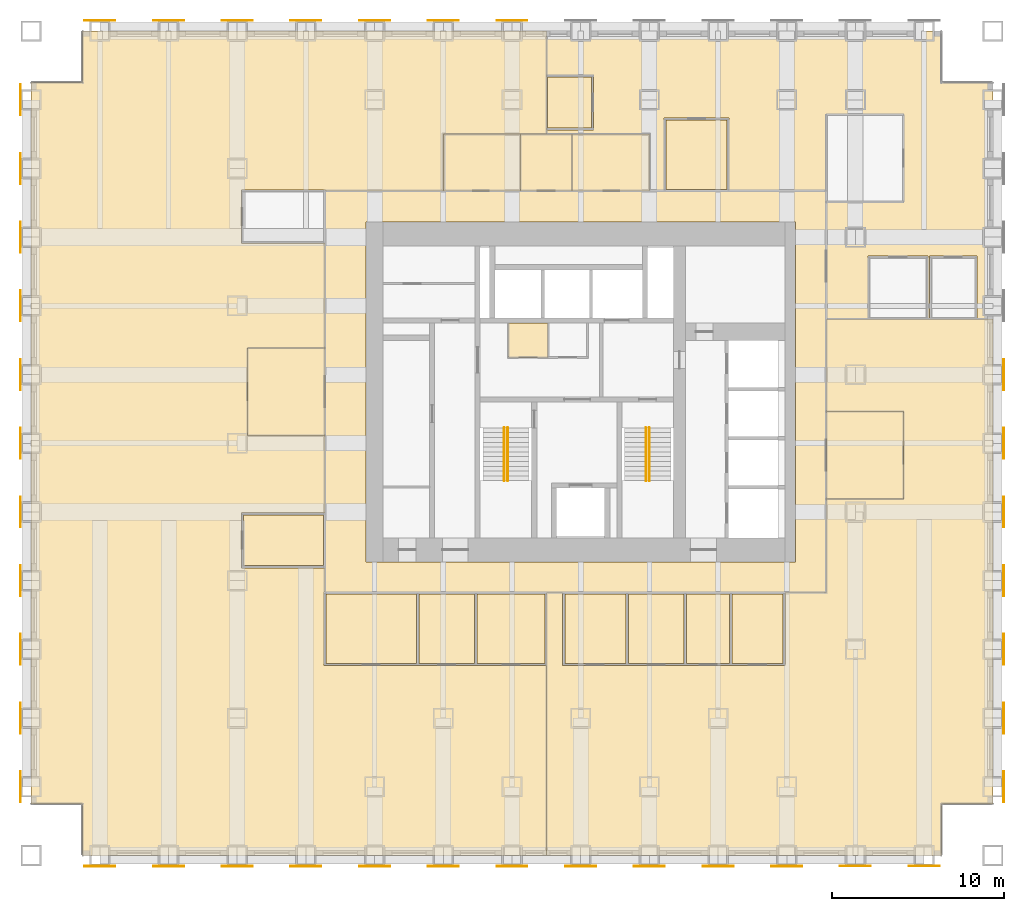
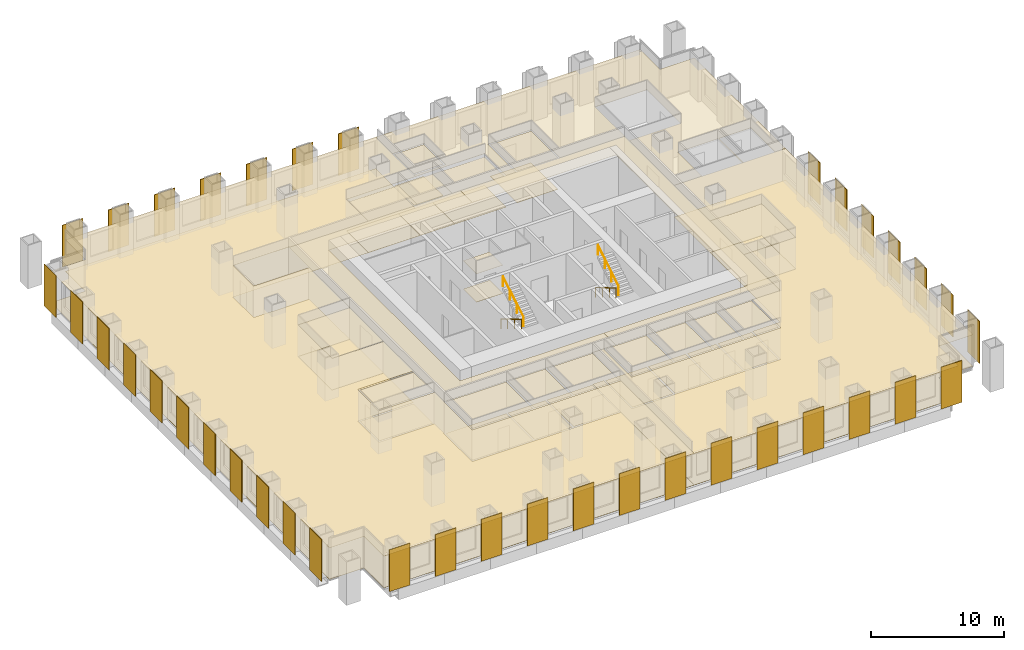
# One storey, part 13 of 14: 39 coverings, 38 shading devices, 4 railings.
"""IFC4 building model written with IfcOpenShell, lengths in metres."""

from ifc_helpers import new_model, si_unit, direction, frame, origin, origin_2d, place, context, subcontext, project, spatial, polyline, rectangle, circle, outline, extrude, material, layer, layer_set, type_object, element, save


model = new_model("IFC4")

# Units and contexts
model_context = context("Model", 3, precision=1e-05, world=origin(), true_north=direction((0.0, 1.0)))
body_context = subcontext(model_context, "Body", "Model", "MODEL_VIEW")
ifc_project = project(units=[si_unit("LENGTHUNIT", "METRE"), si_unit("AREAUNIT", "SQUARE_METRE"), si_unit("VOLUMEUNIT", "CUBIC_METRE"), si_unit("PLANEANGLEUNIT", "RADIAN"), si_unit("MASSUNIT", "GRAM", prefix="KILO")], contexts=[model_context])

# Site, building, storey
site_placement = place(None, origin())
site = spatial("IfcSite", under=ifc_project, at=site_placement, CompositionType="ELEMENT")
building_placement = place(site_placement, origin())
building = spatial("IfcBuilding", under=site, at=building_placement, Name="Rimbunsela Tower", CompositionType="ELEMENT")
storey_placement = place(building_placement, frame((0.0, 0.0, 55.0)))
storey = spatial("IfcBuildingStorey", under=building, at=storey_placement, Name="L13", CompositionType="ELEMENT", Elevation=55.0)

# Coverings
ifc_material_1 = material(Name="Nylon carpet tile", Category="textile")
ifc_layer_1 = layer(ifc_material_1, 0.010009765625)
ifc_layer_set_1 = layer_set([ifc_layer_1], Name="Carpet tile 10")
covering_type_1 = type_object("IfcCoveringType", Name="Carpet tile 10", PredefinedType="FLOORING", material=ifc_layer_set_1)
covering_1_placement = place(storey_placement, origin())
element("IfcCovering", 1, at=covering_1_placement, inside=storey, type_object=covering_type_1, Name="Floor finish Open office", PredefinedType="FLOORING", context=body_context, shape_type="SweptSolid", body=[
    extrude(outline(polyline([(20.550048828125, 11.050048828125), (23.85009765625, 11.050048828125), (23.949951171875, 11.050048828125), (27.9990234375, 11.050048828125), (27.9990234375, 0.0), (15.10009765625, 0.0), (1.0, 0.0), (1.0, 3.0), (-2.0, 3.0), (-2.0, 45.0), (1.0, 45.0), (1.0, 48.0), (15.10009765625, 48.0), (27.9990234375, 48.0), (27.9990234375, 42.0), (22.0, 42.0), (22.0, 38.699951171875), (15.14990234375, 38.699951171875), (15.14990234375, 38.75), (15.10009765625, 38.75), (10.25, 38.75), (10.25, 35.64990234375), (15.10009765625, 35.64990234375), (15.10009765625, 29.550048828125), (10.60009765625, 29.550048828125), (10.60009765625, 24.449951171875), (15.10009765625, 24.449951171875), (15.10009765625, 19.949951171875), (10.25, 19.949951171875), (10.25, 16.75), (15.10009765625, 16.75), (15.10009765625, 15.35009765625), (15.050048828125, 15.35009765625), (15.050048828125, 11.050048828125), (15.10009765625, 11.050048828125), (20.449951171875, 11.050048828125), (20.550048828125, 11.050048828125)])), origin(), (0.0, 0.0, 1.0), 0.010009765625),
])
covering_2_placement = place(storey_placement, origin())
element("IfcCovering", 2, at=covering_2_placement, inside=storey, type_object=covering_type_1, Name="Floor finish Open office", PredefinedType="FLOORING", context=body_context, shape_type="SweptSolid", body=[
    extrude(outline(polyline([(28.0009765625, 15.300048828125), (28.948974609375, 15.300048828125), (28.948974609375, 11.050048828125), (32.64892578125, 11.050048828125), (32.7490234375, 11.050048828125), (36.049072265625, 11.050048828125), (36.14892578125, 11.050048828125), (38.698974609375, 11.050048828125), (38.799072265625, 11.050048828125), (41.89892578125, 11.050048828125), (41.89892578125, 15.300048828125), (44.300048828125, 15.300048828125), (44.300048828125, 20.75), (48.800048828125, 20.75), (48.800048828125, 25.85009765625), (44.300048828125, 25.85009765625), (44.300048828125, 31.2490234375), (54.0, 31.2490234375), (54.0, 3.0), (51.0, 3.0), (51.0, 0.0), (44.300048828125, 0.0), (28.0009765625, 0.0), (28.0009765625, 15.300048828125)])), origin(), (0.0, 0.0, 1.0), 0.010009765625),
])
covering_3_placement = place(storey_placement, origin())
element("IfcCovering", 3, at=covering_3_placement, inside=storey, type_object=covering_type_1, Name="Floor finish Reception", PredefinedType="FLOORING", context=body_context, shape_type="SweptSolid", body=[
    extrude(outline(polyline([(15.10009765625, 24.449951171875), (15.10009765625, 29.550048828125), (10.60009765625, 29.550048828125), (10.60009765625, 24.449951171875), (15.10009765625, 24.449951171875)])), origin(), (0.0, 0.0, 1.0), 0.010009765625),
])
covering_4_placement = place(storey_placement, origin())
element("IfcCovering", 4, at=covering_4_placement, inside=storey, type_object=covering_type_1, Name="Floor finish Reception", PredefinedType="FLOORING", context=body_context, shape_type="SweptSolid", body=[
    extrude(outline(polyline([(48.800048828125, 20.75), (48.800048828125, 25.85009765625), (44.300048828125, 25.85009765625), (44.300048828125, 20.75), (48.800048828125, 20.75)])), origin(), (0.0, 0.0, 1.0), 0.010009765625),
])
covering_5_placement = place(storey_placement, origin())
element("IfcCovering", 5, at=covering_5_placement, inside=storey, type_object=covering_type_1, Name="Floor finish Meeting room", PredefinedType="FLOORING", context=body_context, shape_type="SweptSolid", body=[
    extrude(outline(polyline([(20.425048828125, 11.175048828125), (20.425048828125, 15.22509765625), (15.175048828125, 15.22509765625), (15.175048828125, 11.175048828125), (20.425048828125, 11.175048828125)])), origin(), (0.0, 0.0, 1.0), 0.010009765625),
])
covering_6_placement = place(storey_placement, origin())
element("IfcCovering", 6, at=covering_6_placement, inside=storey, type_object=covering_type_1, Name="Floor finish Pantry", PredefinedType="FLOORING", context=body_context, shape_type="SweptSolid", body=[
    extrude(outline(polyline([(23.824951171875, 11.175048828125), (23.824951171875, 15.22509765625), (20.574951171875, 15.22509765625), (20.574951171875, 11.175048828125), (23.824951171875, 11.175048828125)])), origin(), (0.0, 0.0, 1.0), 0.010009765625),
])
covering_7_placement = place(storey_placement, origin())
element("IfcCovering", 7, at=covering_7_placement, inside=storey, type_object=covering_type_1, Name="Floor finish Print and copy room", PredefinedType="FLOORING", context=body_context, shape_type="SweptSolid", body=[
    extrude(outline(polyline([(27.924072265625, 11.175048828125), (27.924072265625, 15.22509765625), (23.97509765625, 15.22509765625), (23.97509765625, 11.175048828125), (27.924072265625, 11.175048828125)])), origin(), (0.0, 0.0, 1.0), 0.010009765625),
])
covering_8_placement = place(storey_placement, origin())
element("IfcCovering", 8, at=covering_8_placement, inside=storey, type_object=covering_type_1, Name="Floor finish Meeting room", PredefinedType="FLOORING", context=body_context, shape_type="SweptSolid", body=[
    extrude(outline(polyline([(32.6240234375, 11.175048828125), (32.6240234375, 15.22509765625), (29.073974609375, 15.22509765625), (29.073974609375, 11.175048828125), (32.6240234375, 11.175048828125)])), origin(), (0.0, 0.0, 1.0), 0.010009765625),
])
covering_9_placement = place(storey_placement, origin())
element("IfcCovering", 9, at=covering_9_placement, inside=storey, type_object=covering_type_1, Name="Floor finish Pantry", PredefinedType="FLOORING", context=body_context, shape_type="SweptSolid", body=[
    extrude(outline(polyline([(36.02392578125, 11.175048828125), (36.02392578125, 15.22509765625), (32.77392578125, 15.22509765625), (32.77392578125, 11.175048828125), (36.02392578125, 11.175048828125)])), origin(), (0.0, 0.0, 1.0), 0.010009765625),
])
covering_10_placement = place(storey_placement, origin())
element("IfcCovering", 10, at=covering_10_placement, inside=storey, type_object=covering_type_1, Name="Floor finish Print and copy room", PredefinedType="FLOORING", context=body_context, shape_type="SweptSolid", body=[
    extrude(outline(polyline([(38.674072265625, 11.175048828125), (38.674072265625, 15.22509765625), (36.174072265625, 15.22509765625), (36.174072265625, 11.175048828125), (38.674072265625, 11.175048828125)])), origin(), (0.0, 0.0, 1.0), 0.010009765625),
])
covering_11_placement = place(storey_placement, origin())
element("IfcCovering", 11, at=covering_11_placement, inside=storey, type_object=covering_type_1, Name="Floor finish Office", PredefinedType="FLOORING", context=body_context, shape_type="SweptSolid", body=[
    extrude(outline(polyline([(41.77392578125, 11.175048828125), (41.77392578125, 15.22509765625), (38.823974609375, 15.22509765625), (38.823974609375, 11.175048828125), (41.77392578125, 11.175048828125)])), origin(), (0.0, 0.0, 1.0), 0.010009765625),
])
covering_12_placement = place(storey_placement, origin())
element("IfcCovering", 12, at=covering_12_placement, inside=storey, type_object=covering_type_1, Name="Floor finish Office", PredefinedType="FLOORING", context=body_context, shape_type="SweptSolid", body=[
    extrude(outline(polyline([(15.02490234375, 16.875), (15.02490234375, 19.824951171875), (10.375, 19.824951171875), (10.375, 16.875), (15.02490234375, 16.875)])), origin(), (0.0, 0.0, 1.0), 0.010009765625),
])
covering_13_placement = place(storey_placement, origin())
element("IfcCovering", 13, at=covering_13_placement, inside=storey, type_object=covering_type_1, Name="Floor finish Meeting room", PredefinedType="FLOORING", context=body_context, shape_type="SweptSolid", body=[
    extrude(outline(polyline([(38.52490234375, 38.77490234375), (38.52490234375, 42.824951171875), (34.97509765625, 42.824951171875), (34.97509765625, 38.77490234375), (38.52490234375, 38.77490234375)])), origin(), (0.0, 0.0, 1.0), 0.010009765625),
])
covering_14_placement = place(storey_placement, origin())
element("IfcCovering", 14, at=covering_14_placement, inside=storey, type_object=covering_type_1, Name="Floor finish Office", PredefinedType="FLOORING", context=body_context, shape_type="SweptSolid", body=[
    extrude(outline(polyline([(30.625, 42.375), (30.625, 45.324951171875), (28.074951171875, 45.324951171875), (28.074951171875, 42.375), (30.625, 42.375)])), origin(), (0.0, 0.0, 1.0), 0.010009765625),
])
ifc_material_2 = material(Name="Mineral fibre ceiling tile", Category="gypsum")
ifc_layer_2 = layer(ifc_material_2, 0.02001953125)
ifc_layer_set_2 = layer_set([ifc_layer_2], Name="Ceiling 600 grid")
covering_type_2 = type_object("IfcCoveringType", Name="Ceiling 600 grid", PredefinedType="CEILING", material=ifc_layer_set_2)
covering_15_placement = place(storey_placement, frame((0.0, 0.0, 2.89990234375)))
element("IfcCovering", 15, at=covering_15_placement, inside=storey, type_object=covering_type_2, Name="Ceiling Ring corridor", PredefinedType="CEILING", context=body_context, shape_type="SweptSolid", body=[
    extrude(outline(polyline([(15.10009765625, 38.699951171875), (30.0, 38.699951171875), (30.0, 36.89990234375), (17.5, 36.89990234375), (17.5, 17.10009765625), (30.0, 17.10009765625), (30.0, 15.300048828125), (15.10009765625, 15.300048828125), (15.10009765625, 38.699951171875)])), origin(), (0.0, 0.0, 1.0), 0.02001953125),
])
covering_16_placement = place(storey_placement, frame((0.0, 0.0, 2.89990234375)))
element("IfcCovering", 16, at=covering_16_placement, inside=storey, type_object=covering_type_2, Name="Ceiling Ring corridor", PredefinedType="CEILING", context=body_context, shape_type="SweptSolid", body=[
    extrude(outline(polyline([(44.300048828125, 38.699951171875), (44.300048828125, 15.300048828125), (30.0, 15.300048828125), (30.0, 17.10009765625), (42.5, 17.10009765625), (42.5, 36.89990234375), (30.0, 36.89990234375), (30.0, 38.699951171875), (44.300048828125, 38.699951171875)])), origin(), (0.0, 0.0, 1.0), 0.02001953125),
])
covering_17_placement = place(storey_placement, frame((0.0, 0.0, 2.89990234375)))
element("IfcCovering", 17, at=covering_17_placement, inside=storey, type_object=covering_type_2, Name="Ceiling Open office", PredefinedType="CEILING", context=body_context, shape_type="SweptSolid", body=[
    extrude(outline(polyline([(20.550048828125, 11.050048828125), (23.85009765625, 11.050048828125), (23.949951171875, 11.050048828125), (27.9990234375, 11.050048828125), (27.9990234375, 0.0), (15.10009765625, 0.0), (1.0, 0.0), (1.0, 3.0), (-2.0, 3.0), (-2.0, 45.0), (1.0, 45.0), (1.0, 48.0), (15.10009765625, 48.0), (27.9990234375, 48.0), (27.9990234375, 42.0), (22.0, 42.0), (22.0, 38.699951171875), (15.14990234375, 38.699951171875), (15.14990234375, 38.75), (15.10009765625, 38.75), (10.25, 38.75), (10.25, 35.64990234375), (15.10009765625, 35.64990234375), (15.10009765625, 29.550048828125), (10.60009765625, 29.550048828125), (10.60009765625, 24.449951171875), (15.10009765625, 24.449951171875), (15.10009765625, 19.949951171875), (10.25, 19.949951171875), (10.25, 16.75), (15.10009765625, 16.75), (15.10009765625, 15.35009765625), (15.050048828125, 15.35009765625), (15.050048828125, 11.050048828125), (15.10009765625, 11.050048828125), (20.449951171875, 11.050048828125), (20.550048828125, 11.050048828125)])), origin(), (0.0, 0.0, 1.0), 0.02001953125),
])
covering_18_placement = place(storey_placement, frame((0.0, 0.0, 2.89990234375)))
element("IfcCovering", 18, at=covering_18_placement, inside=storey, type_object=covering_type_2, Name="Ceiling Open office", PredefinedType="CEILING", context=body_context, shape_type="SweptSolid", body=[
    extrude(outline(polyline([(28.0009765625, 15.300048828125), (28.948974609375, 15.300048828125), (28.948974609375, 11.050048828125), (32.64892578125, 11.050048828125), (32.7490234375, 11.050048828125), (36.049072265625, 11.050048828125), (36.14892578125, 11.050048828125), (38.698974609375, 11.050048828125), (38.799072265625, 11.050048828125), (41.89892578125, 11.050048828125), (41.89892578125, 15.300048828125), (44.300048828125, 15.300048828125), (44.300048828125, 20.75), (48.800048828125, 20.75), (48.800048828125, 25.85009765625), (44.300048828125, 25.85009765625), (44.300048828125, 31.2490234375), (54.0, 31.2490234375), (54.0, 3.0), (51.0, 3.0), (51.0, 0.0), (44.300048828125, 0.0), (28.0009765625, 0.0), (28.0009765625, 15.300048828125)])), origin(), (0.0, 0.0, 1.0), 0.02001953125),
])
covering_19_placement = place(storey_placement, frame((0.0, 0.0, 2.89990234375)))
element("IfcCovering", 19, at=covering_19_placement, inside=storey, type_object=covering_type_2, Name="Ceiling Open office", PredefinedType="CEILING", context=body_context, shape_type="SweptSolid", body=[
    extrude(outline(polyline([(44.300048828125, 38.699951171875), (38.64990234375, 38.699951171875), (38.64990234375, 42.949951171875), (34.85009765625, 42.949951171875), (34.85009765625, 38.699951171875), (34.0, 38.699951171875), (34.0, 42.0), (28.0009765625, 42.0), (28.0009765625, 42.25), (30.75, 42.25), (30.75, 45.449951171875), (28.0009765625, 45.449951171875), (28.0009765625, 48.0), (44.300048828125, 48.0), (51.0, 48.0), (51.0, 45.0), (54.0, 45.0), (54.0, 31.2509765625), (53.074951171875, 31.2509765625), (53.074951171875, 34.89990234375), (50.324951171875, 34.89990234375), (50.324951171875, 31.2509765625), (50.22509765625, 31.2509765625), (50.22509765625, 34.89990234375), (46.72509765625, 34.89990234375), (46.72509765625, 31.2509765625), (44.300048828125, 31.2509765625), (44.300048828125, 38.050048828125), (48.800048828125, 38.050048828125), (48.800048828125, 43.14990234375), (44.300048828125, 43.14990234375), (44.300048828125, 38.699951171875)])), origin(), (0.0, 0.0, 1.0), 0.02001953125),
])
covering_20_placement = place(storey_placement, frame((0.0, 0.0, 2.89990234375)))
element("IfcCovering", 20, at=covering_20_placement, inside=storey, type_object=covering_type_2, Name="Ceiling Reception", PredefinedType="CEILING", context=body_context, shape_type="SweptSolid", body=[
    extrude(outline(polyline([(15.10009765625, 24.449951171875), (15.10009765625, 29.550048828125), (10.60009765625, 29.550048828125), (10.60009765625, 24.449951171875), (15.10009765625, 24.449951171875)])), origin(), (0.0, 0.0, 1.0), 0.02001953125),
])
covering_21_placement = place(storey_placement, frame((0.0, 0.0, 2.89990234375)))
element("IfcCovering", 21, at=covering_21_placement, inside=storey, type_object=covering_type_2, Name="Ceiling Reception", PredefinedType="CEILING", context=body_context, shape_type="SweptSolid", body=[
    extrude(outline(polyline([(48.800048828125, 20.75), (48.800048828125, 25.85009765625), (44.300048828125, 25.85009765625), (44.300048828125, 20.75), (48.800048828125, 20.75)])), origin(), (0.0, 0.0, 1.0), 0.02001953125),
])
covering_22_placement = place(storey_placement, frame((0.0, 0.0, 2.89990234375)))
element("IfcCovering", 22, at=covering_22_placement, inside=storey, type_object=covering_type_2, Name="Ceiling Meeting room", PredefinedType="CEILING", context=body_context, shape_type="SweptSolid", body=[
    extrude(outline(polyline([(20.425048828125, 11.175048828125), (20.425048828125, 15.22509765625), (15.175048828125, 15.22509765625), (15.175048828125, 11.175048828125), (20.425048828125, 11.175048828125)])), origin(), (0.0, 0.0, 1.0), 0.02001953125),
])
covering_23_placement = place(storey_placement, frame((0.0, 0.0, 2.89990234375)))
element("IfcCovering", 23, at=covering_23_placement, inside=storey, type_object=covering_type_2, Name="Ceiling Pantry", PredefinedType="CEILING", context=body_context, shape_type="SweptSolid", body=[
    extrude(outline(polyline([(23.824951171875, 11.175048828125), (23.824951171875, 15.22509765625), (20.574951171875, 15.22509765625), (20.574951171875, 11.175048828125), (23.824951171875, 11.175048828125)])), origin(), (0.0, 0.0, 1.0), 0.02001953125),
])
covering_24_placement = place(storey_placement, frame((0.0, 0.0, 2.89990234375)))
element("IfcCovering", 24, at=covering_24_placement, inside=storey, type_object=covering_type_2, Name="Ceiling Print and copy room", PredefinedType="CEILING", context=body_context, shape_type="SweptSolid", body=[
    extrude(outline(polyline([(27.924072265625, 11.175048828125), (27.924072265625, 15.22509765625), (23.97509765625, 15.22509765625), (23.97509765625, 11.175048828125), (27.924072265625, 11.175048828125)])), origin(), (0.0, 0.0, 1.0), 0.02001953125),
])
covering_25_placement = place(storey_placement, frame((0.0, 0.0, 2.89990234375)))
element("IfcCovering", 25, at=covering_25_placement, inside=storey, type_object=covering_type_2, Name="Ceiling Meeting room", PredefinedType="CEILING", context=body_context, shape_type="SweptSolid", body=[
    extrude(outline(polyline([(32.6240234375, 11.175048828125), (32.6240234375, 15.22509765625), (29.073974609375, 15.22509765625), (29.073974609375, 11.175048828125), (32.6240234375, 11.175048828125)])), origin(), (0.0, 0.0, 1.0), 0.02001953125),
])
covering_26_placement = place(storey_placement, frame((0.0, 0.0, 2.89990234375)))
element("IfcCovering", 26, at=covering_26_placement, inside=storey, type_object=covering_type_2, Name="Ceiling Pantry", PredefinedType="CEILING", context=body_context, shape_type="SweptSolid", body=[
    extrude(outline(polyline([(36.02392578125, 11.175048828125), (36.02392578125, 15.22509765625), (32.77392578125, 15.22509765625), (32.77392578125, 11.175048828125), (36.02392578125, 11.175048828125)])), origin(), (0.0, 0.0, 1.0), 0.02001953125),
])
covering_27_placement = place(storey_placement, frame((0.0, 0.0, 2.89990234375)))
element("IfcCovering", 27, at=covering_27_placement, inside=storey, type_object=covering_type_2, Name="Ceiling Print and copy room", PredefinedType="CEILING", context=body_context, shape_type="SweptSolid", body=[
    extrude(outline(polyline([(38.674072265625, 11.175048828125), (38.674072265625, 15.22509765625), (36.174072265625, 15.22509765625), (36.174072265625, 11.175048828125), (38.674072265625, 11.175048828125)])), origin(), (0.0, 0.0, 1.0), 0.02001953125),
])
covering_28_placement = place(storey_placement, frame((0.0, 0.0, 2.89990234375)))
element("IfcCovering", 28, at=covering_28_placement, inside=storey, type_object=covering_type_2, Name="Ceiling Office", PredefinedType="CEILING", context=body_context, shape_type="SweptSolid", body=[
    extrude(outline(polyline([(41.77392578125, 11.175048828125), (41.77392578125, 15.22509765625), (38.823974609375, 15.22509765625), (38.823974609375, 11.175048828125), (41.77392578125, 11.175048828125)])), origin(), (0.0, 0.0, 1.0), 0.02001953125),
])
covering_29_placement = place(storey_placement, frame((0.0, 0.0, 2.89990234375)))
element("IfcCovering", 29, at=covering_29_placement, inside=storey, type_object=covering_type_2, Name="Ceiling Office", PredefinedType="CEILING", context=body_context, shape_type="SweptSolid", body=[
    extrude(outline(polyline([(15.02490234375, 16.875), (15.02490234375, 19.824951171875), (10.375, 19.824951171875), (10.375, 16.875), (15.02490234375, 16.875)])), origin(), (0.0, 0.0, 1.0), 0.02001953125),
])
covering_30_placement = place(storey_placement, frame((0.0, 0.0, 2.89990234375)))
element("IfcCovering", 30, at=covering_30_placement, inside=storey, type_object=covering_type_2, Name="Ceiling Meeting room", PredefinedType="CEILING", context=body_context, shape_type="SweptSolid", body=[
    extrude(outline(polyline([(38.52490234375, 38.77490234375), (38.52490234375, 42.824951171875), (34.97509765625, 42.824951171875), (34.97509765625, 38.77490234375), (38.52490234375, 38.77490234375)])), origin(), (0.0, 0.0, 1.0), 0.02001953125),
])
covering_31_placement = place(storey_placement, frame((0.0, 0.0, 2.89990234375)))
element("IfcCovering", 31, at=covering_31_placement, inside=storey, type_object=covering_type_2, Name="Ceiling Office", PredefinedType="CEILING", context=body_context, shape_type="SweptSolid", body=[
    extrude(outline(polyline([(30.625, 42.375), (30.625, 45.324951171875), (28.074951171875, 45.324951171875), (28.074951171875, 42.375), (30.625, 42.375)])), origin(), (0.0, 0.0, 1.0), 0.02001953125),
])
ifc_material_3 = material(Name="Moisture-resistant plasterboard ceiling", Category="gypsum")
ifc_layer_3 = layer(ifc_material_3, 0.012451171875)
ifc_layer_set_3 = layer_set([ifc_layer_3], Name="Ceiling moisture-resistant board")
covering_type_3 = type_object("IfcCoveringType", Name="Ceiling moisture-resistant board", PredefinedType="CEILING", material=ifc_layer_set_3)
covering_32_placement = place(storey_placement, frame((0.0, 0.0, 2.60009765625)))
element("IfcCovering", 32, at=covering_32_placement, inside=storey, type_object=covering_type_3, Name="Ceiling Staff WC", PredefinedType="CEILING", context=body_context, shape_type="SweptSolid", body=[
    extrude(outline(polyline([(28.10009765625, 29.0), (28.10009765625, 31.0), (25.800048828125, 31.0), (25.800048828125, 29.0), (28.10009765625, 29.0)])), origin(), (0.0, 0.0, 1.0), 0.02001953125),
])
covering_33_placement = place(storey_placement, frame((0.0, 0.0, 2.60009765625)))
element("IfcCovering", 33, at=covering_33_placement, inside=storey, type_object=covering_type_3, Name="Ceiling Female WC", PredefinedType="CEILING", context=body_context, shape_type="SweptSolid", body=[
    extrude(outline(polyline([(26.5, 38.699951171875), (26.5, 42.0), (22.0, 42.0), (22.0, 38.699951171875), (26.5, 38.699951171875)])), origin(), (0.0, 0.0, 1.0), 0.02001953125),
])
covering_34_placement = place(storey_placement, frame((0.0, 0.0, 2.60009765625)))
element("IfcCovering", 34, at=covering_34_placement, inside=storey, type_object=covering_type_3, Name="Ceiling Accessible WC", PredefinedType="CEILING", context=body_context, shape_type="SweptSolid", body=[
    extrude(outline(polyline([(29.5, 38.699951171875), (29.5, 42.0), (26.5, 42.0), (26.5, 38.699951171875), (29.5, 38.699951171875)])), origin(), (0.0, 0.0, 1.0), 0.02001953125),
])
covering_35_placement = place(storey_placement, frame((0.0, 0.0, 2.60009765625)))
element("IfcCovering", 35, at=covering_35_placement, inside=storey, type_object=covering_type_3, Name="Ceiling Male WC", PredefinedType="CEILING", context=body_context, shape_type="SweptSolid", body=[
    extrude(outline(polyline([(34.0, 38.699951171875), (34.0, 42.0), (29.5, 42.0), (29.5, 38.699951171875), (34.0, 38.699951171875)])), origin(), (0.0, 0.0, 1.0), 0.02001953125),
])
ifc_material_4 = material(Name="Porcelain floor tile in adhesive bed", Category="ceramic")
ifc_layer_4 = layer(ifc_material_4, 0.02001953125)
ifc_layer_set_4 = layer_set([ifc_layer_4], Name="Porcelain tile 20")
covering_type_4 = type_object("IfcCoveringType", Name="Porcelain tile 20", PredefinedType="FLOORING", material=ifc_layer_set_4)
covering_36_placement = place(storey_placement, origin())
element("IfcCovering", 36, at=covering_36_placement, inside=storey, type_object=covering_type_4, Name="Floor finish Staff WC", PredefinedType="FLOORING", context=body_context, shape_type="SweptSolid", body=[
    extrude(outline(polyline([(28.10009765625, 29.0), (28.10009765625, 31.0), (25.800048828125, 31.0), (25.800048828125, 29.0), (28.10009765625, 29.0)])), origin(), (0.0, 0.0, 1.0), 0.02001953125),
])
covering_37_placement = place(storey_placement, origin())
element("IfcCovering", 37, at=covering_37_placement, inside=storey, type_object=covering_type_4, Name="Floor finish Female WC", PredefinedType="FLOORING", context=body_context, shape_type="SweptSolid", body=[
    extrude(outline(polyline([(26.5, 38.699951171875), (26.5, 42.0), (22.0, 42.0), (22.0, 38.699951171875), (26.5, 38.699951171875)])), origin(), (0.0, 0.0, 1.0), 0.02001953125),
])
covering_38_placement = place(storey_placement, origin())
element("IfcCovering", 38, at=covering_38_placement, inside=storey, type_object=covering_type_4, Name="Floor finish Accessible WC", PredefinedType="FLOORING", context=body_context, shape_type="SweptSolid", body=[
    extrude(outline(polyline([(29.5, 38.699951171875), (29.5, 42.0), (26.5, 42.0), (26.5, 38.699951171875), (29.5, 38.699951171875)])), origin(), (0.0, 0.0, 1.0), 0.02001953125),
])
covering_39_placement = place(storey_placement, origin())
element("IfcCovering", 39, at=covering_39_placement, inside=storey, type_object=covering_type_4, Name="Floor finish Male WC", PredefinedType="FLOORING", context=body_context, shape_type="SweptSolid", body=[
    extrude(outline(polyline([(34.0, 38.699951171875), (34.0, 42.0), (29.5, 42.0), (29.5, 38.699951171875), (34.0, 38.699951171875)])), origin(), (0.0, 0.0, 1.0), 0.02001953125),
])

# Shading devices
ifc_material_5 = material(Name="Perforated aluminium, 35 % open area", Category="aluminium")
ifc_layer_5 = layer(ifc_material_5, 0.050048828125)
ifc_layer_set_5 = layer_set([ifc_layer_5], Name="Solar screen panel 1800")
shading_device_type = type_object("IfcShadingDeviceType", Name="Solar screen panel 1800", PredefinedType="USERDEFINED", material=ifc_layer_set_5)
for number, where, z_axis, x_axis, name in (
    (40, (2.0, -0.625, 0.0), (0.0, 0.0, 1.0), (1.0, 0.0, 0.0), "Solar screen S L13"),
    (41, (6.0, -0.625, 0.0), (0.0, 0.0, 1.0), (1.0, 0.0, 0.0), "Solar screen S L13"),
    (42, (10.0, -0.625, 0.0), (0.0, 0.0, 1.0), (1.0, 0.0, 0.0), "Solar screen S L13"),
    (43, (14.0, -0.625, 0.0), (0.0, 0.0, 1.0), (1.0, 0.0, 0.0), "Solar screen S L13"),
    (44, (18.0, -0.625, 0.0), (0.0, 0.0, 1.0), (1.0, 0.0, 0.0), "Solar screen S L13"),
    (45, (22.0, -0.625, 0.0), (0.0, 0.0, 1.0), (1.0, 0.0, 0.0), "Solar screen S L13"),
    (46, (26.0, -0.625, 0.0), (0.0, 0.0, 1.0), (1.0, 0.0, 0.0), "Solar screen S L13"),
    (47, (30.0, -0.625, 0.0), (0.0, 0.0, 1.0), (1.0, 0.0, 0.0), "Solar screen S L13"),
    (48, (34.0, -0.625, 0.0), (0.0, 0.0, 1.0), (1.0, 0.0, 0.0), "Solar screen S L13"),
    (49, (38.0, -0.625, 0.0), (0.0, 0.0, 1.0), (1.0, 0.0, 0.0), "Solar screen S L13"),
    (50, (42.0, -0.625, 0.0), (0.0, 0.0, 1.0), (1.0, 0.0, 0.0), "Solar screen S L13"),
    (51, (46.0, -0.625, 0.0), (0.0, 0.0, 1.0), (1.0, 0.0, 0.0), "Solar screen S L13"),
    (52, (50.0, -0.625, 0.0), (0.0, 0.0, 1.0), (1.0, 0.0, 0.0), "Solar screen S L13"),
    (53, (54.625, 4.0, 0.0), (0.0, 0.0, 1.0), (0.0, 1.0, 0.0), "Solar screen E L13"),
    (54, (54.625, 8.0, 0.0), (0.0, 0.0, 1.0), (0.0, 1.0, 0.0), "Solar screen E L13"),
    (55, (54.625, 12.0, 0.0), (0.0, 0.0, 1.0), (0.0, 1.0, 0.0), "Solar screen E L13"),
    (56, (54.625, 16.0, 0.0), (0.0, 0.0, 1.0), (0.0, 1.0, 0.0), "Solar screen E L13"),
    (57, (54.625, 20.0, 0.0), (0.0, 0.0, 1.0), (0.0, 1.0, 0.0), "Solar screen E L13"),
    (58, (54.625, 24.0, 0.0), (0.0, 0.0, 1.0), (0.0, 1.0, 0.0), "Solar screen E L13"),
    (59, (54.625, 28.0, 0.0), (0.0, 0.0, 1.0), (0.0, 1.0, 0.0), "Solar screen E L13"),
    (60, (2.0, 48.625, 0.0), (0.0, 0.0, 1.0), (1.0, 0.0, 0.0), "Solar screen N L13"),
    (61, (6.0, 48.625, 0.0), (0.0, 0.0, 1.0), (1.0, 0.0, 0.0), "Solar screen N L13"),
    (62, (10.0, 48.625, 0.0), (0.0, 0.0, 1.0), (1.0, 0.0, 0.0), "Solar screen N L13"),
    (63, (14.0, 48.625, 0.0), (0.0, 0.0, 1.0), (1.0, 0.0, 0.0), "Solar screen N L13"),
    (64, (18.0, 48.625, 0.0), (0.0, 0.0, 1.0), (1.0, 0.0, 0.0), "Solar screen N L13"),
    (65, (22.0, 48.625, 0.0), (0.0, 0.0, 1.0), (1.0, 0.0, 0.0), "Solar screen N L13"),
    (66, (26.0, 48.625, 0.0), (0.0, 0.0, 1.0), (1.0, 0.0, 0.0), "Solar screen N L13"),
    (67, (-2.625, 4.0, 0.0), (0.0, 0.0, 1.0), (0.0, 1.0, 0.0), "Solar screen W L13"),
    (68, (-2.625, 8.0, 0.0), (0.0, 0.0, 1.0), (0.0, 1.0, 0.0), "Solar screen W L13"),
    (69, (-2.625, 12.0, 0.0), (0.0, 0.0, 1.0), (0.0, 1.0, 0.0), "Solar screen W L13"),
    (70, (-2.625, 16.0, 0.0), (0.0, 0.0, 1.0), (0.0, 1.0, 0.0), "Solar screen W L13"),
    (71, (-2.625, 20.0, 0.0), (0.0, 0.0, 1.0), (0.0, 1.0, 0.0), "Solar screen W L13"),
    (72, (-2.625, 24.0, 0.0), (0.0, 0.0, 1.0), (0.0, 1.0, 0.0), "Solar screen W L13"),
    (73, (-2.625, 28.0, 0.0), (0.0, 0.0, 1.0), (0.0, 1.0, 0.0), "Solar screen W L13"),
    (74, (-2.625, 32.0, 0.0), (0.0, 0.0, 1.0), (0.0, 1.0, 0.0), "Solar screen W L13"),
    (75, (-2.625, 36.0, 0.0), (0.0, 0.0, 1.0), (0.0, 1.0, 0.0), "Solar screen W L13"),
    (76, (-2.625, 40.0, 0.0), (0.0, 0.0, 1.0), (0.0, 1.0, 0.0), "Solar screen W L13"),
    (77, (-2.625, 44.0, 0.0), (0.0, 0.0, 1.0), (0.0, 1.0, 0.0), "Solar screen W L13"),
):
    element("IfcShadingDevice", number, at=place(storey_placement, frame(where, z_axis=z_axis, x_axis=x_axis)), inside=storey, type_object=shading_device_type, Name=name, ObjectType="SCREEN", PredefinedType="USERDEFINED", context=body_context, shape_type="SweptSolid", body=[
        extrude(rectangle(XDim=1.800048828125, YDim=0.050048828125, at=origin_2d()), origin(), (0.0, 0.0, 1.0), 3.85009765625),
    ])

# Railings
ifc_material_6 = material(Name="Stainless steel tube", Category="steel")
railing_type = type_object("IfcRailingType", Name="Stair handrail 900", PredefinedType="HANDRAIL", material=ifc_material_6)
railing_1_placement = place(storey_placement, frame((25.550048828125, 24.89990234375, 0.166748046875)))
element("IfcRailing", 78, at=railing_1_placement, inside=storey, type_object=railing_type, Name="Handrail ST-A flight 1", PredefinedType="HANDRAIL", context=body_context, shape_type="SweptSolid", body=[
    extrude(circle(Radius=0.02392578125, at=origin_2d()), frame((0.0, 0.0, 0.8759765625), z_axis=(0.0, -0.859290745958, 0.51148745235), x_axis=(1.0, 0.0, 0.0)), (0.0, 0.0, 1.0), 3.584228515625),
    extrude(circle(Radius=0.02099609375, at=origin_2d()), origin(), (0.0, 0.0, 1.0), 0.851806640625),
    extrude(circle(Radius=0.02099609375, at=origin_2d()), frame((0.0, -1.026611328125, 0.611083984375)), (0.0, 0.0, 1.0), 0.851806640625),
    extrude(circle(Radius=0.02099609375, at=origin_2d()), frame((0.0, -2.05322265625, 1.22216796875)), (0.0, 0.0, 1.0), 0.851806640625),
    extrude(circle(Radius=0.02099609375, at=origin_2d()), frame((0.0, -3.079833984375, 1.833251953125)), (0.0, 0.0, 1.0), 0.851806640625),
])
railing_2_placement = place(storey_placement, frame((25.75, 21.820068359375, 2.166748046875)))
element("IfcRailing", 79, at=railing_2_placement, inside=storey, type_object=railing_type, Name="Handrail ST-A flight 2", PredefinedType="HANDRAIL", context=body_context, shape_type="SweptSolid", body=[
    extrude(circle(Radius=0.02392578125, at=origin_2d()), frame((0.0, 0.0, 0.8759765625), z_axis=(0.0, 0.859290745958, 0.51148745235), x_axis=(-1.0, 0.0, 0.0)), (0.0, 0.0, 1.0), 3.584228515625),
    extrude(circle(Radius=0.02099609375, at=origin_2d()), origin(), (0.0, 0.0, 1.0), 0.851806640625),
    extrude(circle(Radius=0.02099609375, at=origin_2d()), frame((0.0, 1.026611328125, 0.611083984375)), (0.0, 0.0, 1.0), 0.851806640625),
    extrude(circle(Radius=0.02099609375, at=origin_2d()), frame((0.0, 2.05322265625, 1.22216796875)), (0.0, 0.0, 1.0), 0.851806640625),
    extrude(circle(Radius=0.02099609375, at=origin_2d()), frame((0.0, 3.079833984375, 1.833251953125)), (0.0, 0.0, 1.0), 0.851806640625),
])
railing_3_placement = place(storey_placement, frame((33.800048828125, 24.89990234375, 0.166748046875)))
element("IfcRailing", 80, at=railing_3_placement, inside=storey, type_object=railing_type, Name="Handrail ST-B flight 1", PredefinedType="HANDRAIL", context=body_context, shape_type="SweptSolid", body=[
    extrude(circle(Radius=0.02392578125, at=origin_2d()), frame((0.0, 0.0, 0.8759765625), z_axis=(0.0, -0.859290745958, 0.51148745235), x_axis=(1.0, 0.0, 0.0)), (0.0, 0.0, 1.0), 3.584228515625),
    extrude(circle(Radius=0.02099609375, at=origin_2d()), origin(), (0.0, 0.0, 1.0), 0.851806640625),
    extrude(circle(Radius=0.02099609375, at=origin_2d()), frame((0.0, -1.026611328125, 0.611083984375)), (0.0, 0.0, 1.0), 0.851806640625),
    extrude(circle(Radius=0.02099609375, at=origin_2d()), frame((0.0, -2.05322265625, 1.22216796875)), (0.0, 0.0, 1.0), 0.851806640625),
    extrude(circle(Radius=0.02099609375, at=origin_2d()), frame((0.0, -3.079833984375, 1.833251953125)), (0.0, 0.0, 1.0), 0.851806640625),
])
railing_4_placement = place(storey_placement, frame((34.0, 21.820068359375, 2.166748046875)))
element("IfcRailing", 81, at=railing_4_placement, inside=storey, type_object=railing_type, Name="Handrail ST-B flight 2", PredefinedType="HANDRAIL", context=body_context, shape_type="SweptSolid", body=[
    extrude(circle(Radius=0.02392578125, at=origin_2d()), frame((0.0, 0.0, 0.8759765625), z_axis=(0.0, 0.859290745958, 0.51148745235), x_axis=(-1.0, 0.0, 0.0)), (0.0, 0.0, 1.0), 3.584228515625),
    extrude(circle(Radius=0.02099609375, at=origin_2d()), origin(), (0.0, 0.0, 1.0), 0.851806640625),
    extrude(circle(Radius=0.02099609375, at=origin_2d()), frame((0.0, 1.026611328125, 0.611083984375)), (0.0, 0.0, 1.0), 0.851806640625),
    extrude(circle(Radius=0.02099609375, at=origin_2d()), frame((0.0, 2.05322265625, 1.22216796875)), (0.0, 0.0, 1.0), 0.851806640625),
    extrude(circle(Radius=0.02099609375, at=origin_2d()), frame((0.0, 3.079833984375, 1.833251953125)), (0.0, 0.0, 1.0), 0.851806640625),
])

save(model, "model.ifc")
